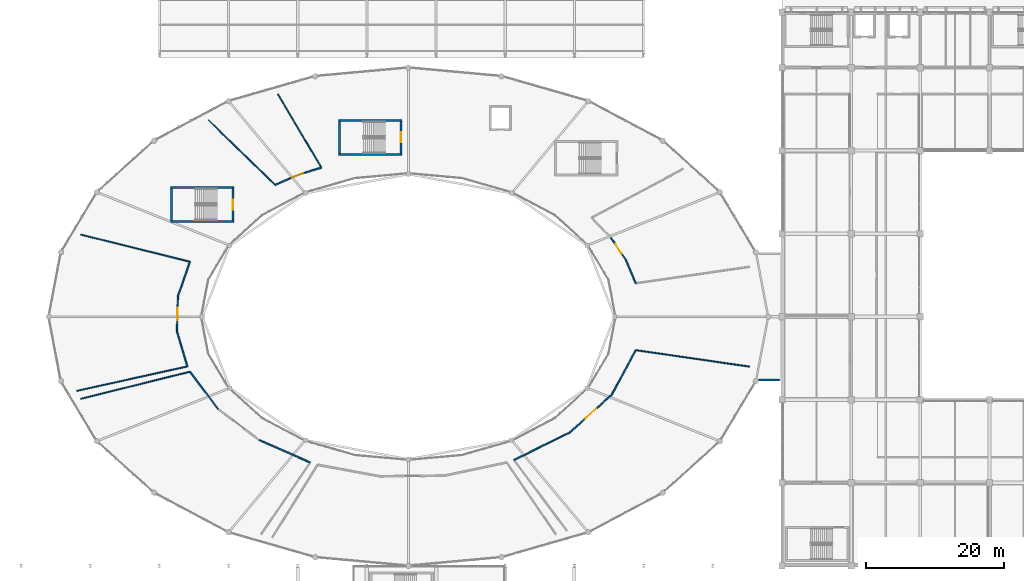
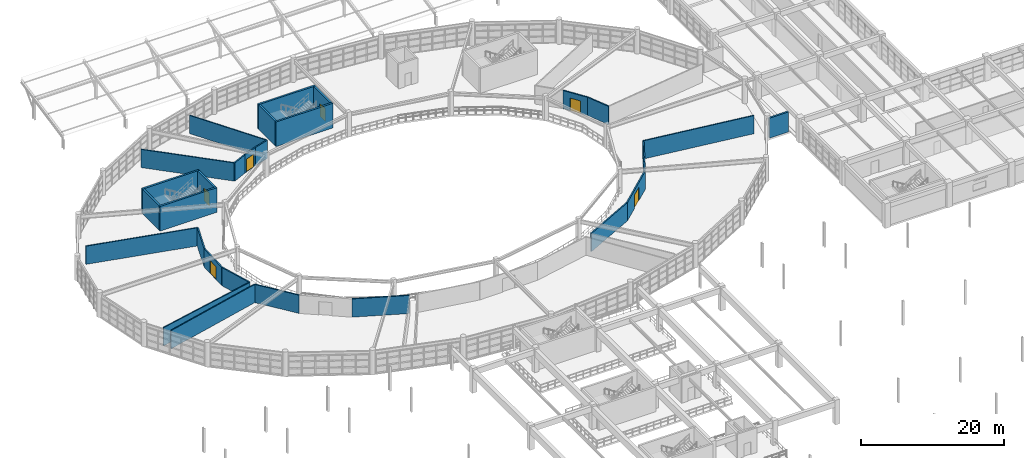
# One storey, part 78 of 100: 28 walls, 6 doors, 6 openings.
"""IFC4 building model written with IfcOpenShell, lengths in metres."""

from ifc_helpers import new_model, si_unit, direction, frame, frame_2d, origin, place, context, subcontext, project, spatial, rectangle, extrude, material, layer, layer_set, type_object, element, fill, save


model = new_model("IFC4")

# Units and contexts
model_context = context("Model", 3, precision=1e-05, world=origin(), true_north=direction((0.0, 1.0)))
body_context = subcontext(model_context, "Body", "Model", "MODEL_VIEW")
ifc_project = project(units=[si_unit("LENGTHUNIT", "METRE"), si_unit("AREAUNIT", "SQUARE_METRE"), si_unit("VOLUMEUNIT", "CUBIC_METRE"), si_unit("PLANEANGLEUNIT", "RADIAN"), si_unit("MASSUNIT", "GRAM", prefix="KILO")], contexts=[model_context])

# Site, building, storey
site_placement = place(None, origin())
site = spatial("IfcSite", under=ifc_project, at=site_placement, CompositionType="ELEMENT")
building_placement = place(site_placement, origin())
building = spatial("IfcBuilding", under=site, at=building_placement, Name="Kivolera Central Railway Station", CompositionType="ELEMENT")
storey_placement = place(building_placement, frame((0.0, 0.0, 5.39990234375)))
storey = spatial("IfcBuildingStorey", under=building, at=storey_placement, Name="L01", CompositionType="ELEMENT", Elevation=5.39990234375)

# Wall
ifc_material_1 = material(Name="Swahili coral limestone", Category="masonry")
ifc_layer_1 = layer(ifc_material_1, 0.199951171875, Name="Swahili coral limestone")
ifc_layer_set_1 = layer_set([ifc_layer_1], Name="Swahili coral limestone")
wall_type_1 = type_object("IfcWallType", Name="WL-COR-200", PredefinedType="PARTITIONING", material=ifc_layer_set_1)
wall_1_placement = place(storey_placement, frame((96.865966796875, 94.833984375, 0.0), z_axis=(0.0, 0.0, 1.0), x_axis=(-0.389948805942, 0.920836537472, 0.0)))
element("IfcWall", 1, at=wall_1_placement, inside=storey, type_object=wall_type_1, Name="L01 Concourse Departure Book and Craft Retail Shop Gallery Wall 1", PredefinedType="PARTITIONING", context=body_context, shape_type="SweptSolid", body=[
    extrude(rectangle(XDim=3.661865234375, YDim=0.199951171875, at=frame_2d((1.8310546875, 0.0))), origin(), (0.0, 0.0, 1.0), 3.10009765625),
])

# Wall, opening, door
wall_2_placement = place(storey_placement, frame((95.43798828125, 98.2060546875, 0.0), z_axis=(0.0, 0.0, 1.0), x_axis=(-0.558919050601, 0.829222222854, 0.0)))
wall_2 = element("IfcWall", 2, at=wall_2_placement, inside=storey, type_object=wall_type_1, Name="L01 Concourse Departure Book and Craft Retail Shop Gallery Wall 2", PredefinedType="PARTITIONING", context=body_context, shape_type="SweptSolid", body=[
    extrude(rectangle(XDim=3.839599609375, YDim=0.199951171875, at=frame_2d((1.919921875, 0.0))), origin(), (0.0, 0.0, 1.0), 3.10009765625),
])
opening_1_placement = place(wall_2_placement, frame((1.1201171875, 0.0, 0.0)))
opening_1 = element("IfcOpeningElement", 3, at=opening_1_placement, cuts=wall_2, Name="Opening D-DB-02", PredefinedType="OPENING", context=body_context, shape_type="SweptSolid", body=[
    extrude(rectangle(XDim=1.60009765625, YDim=2.14990234375, at=frame_2d((0.800048828125, 1.074951171875))), frame((0.0, 0.10986328125, 0.0), z_axis=(0.0, -1.0, 0.0), x_axis=(1.0, 0.0, 0.0)), (0.0, 0.0, 1.0), 0.219970703125),
])
ifc_material_2 = material(Name="Anodised aluminium", Category="aluminium")
door_type_1 = type_object("IfcDoorType", Name="DR-D-DB-02", OperationType="NOTDEFINED", PredefinedType="DOOR", material=ifc_material_2)
door_1_placement = place(opening_1_placement, origin())
door_1 = element("IfcDoor", 4, at=door_1_placement, inside=storey, type_object=door_type_1, Name="L01 Concourse Departure Book and Craft Retail Shop Door", OperationType="DOUBLE_DOOR_SINGLE_SWING", OverallHeight=2.14990234375, OverallWidth=1.60009765625, PredefinedType="DOOR", context=body_context, shape_type="SweptSolid", body=[
    extrude(rectangle(XDim=1.60009765625, YDim=2.14990234375, at=frame_2d((0.800048828125, 1.074951171875))), frame((0.0, 0.02490234375, 0.0), z_axis=(0.0, -1.0, 0.0), x_axis=(1.0, 0.0, 0.0)), (0.0, 0.0, 1.0), 0.050048828125),
])
fill(opening_1, door_1)

# Wall
wall_3_placement = place(storey_placement, frame((51.4130859375, 111.556884765625, 0.0), z_axis=(0.0, 0.0, 1.0), x_axis=(-0.954999315688, -0.296608002313, 0.0)))
element("IfcWall", 5, at=wall_3_placement, inside=storey, type_object=wall_type_1, Name="L01 Assisted Travel and Mobility Waiting Lounge Gallery Wall 1", PredefinedType="PARTITIONING", context=body_context, shape_type="SweptSolid", body=[
    extrude(rectangle(XDim=2.42724609375, YDim=0.199951171875, at=frame_2d((1.213623046875, 0.0))), origin(), (0.0, 0.0, 1.0), 3.10009765625),
])

# Wall, opening, door
wall_4_placement = place(storey_placement, frame((49.094970703125, 110.8369140625, 0.0), z_axis=(0.0, 0.0, 1.0), x_axis=(-0.936068029803, -0.351819049486, 0.0)))
wall_4 = element("IfcWall", 6, at=wall_4_placement, inside=storey, type_object=wall_type_1, Name="L01 Assisted Travel and Mobility Waiting Lounge Gallery Wall 2", PredefinedType="PARTITIONING", context=body_context, shape_type="SweptSolid", body=[
    extrude(rectangle(XDim=2.38427734375, YDim=0.199951171875, at=frame_2d((1.192138671875, 0.0))), origin(), (0.0, 0.0, 1.0), 3.10009765625),
])
opening_2_placement = place(wall_4_placement, frame((0.342041015625, 0.0, 0.0)))
opening_2 = element("IfcOpeningElement", 7, at=opening_2_placement, cuts=wall_4, Name="Opening D-DB-03", PredefinedType="OPENING", context=body_context, shape_type="SweptSolid", body=[
    extrude(rectangle(XDim=1.699951171875, YDim=2.199951171875, at=frame_2d((0.85009765625, 1.10009765625))), frame((0.0, 0.10986328125, 0.0), z_axis=(0.0, -1.0, 0.0), x_axis=(1.0, 0.0, 0.0)), (0.0, 0.0, 1.0), 0.219970703125),
])
door_type_2 = type_object("IfcDoorType", Name="DR-D-DB-03", OperationType="NOTDEFINED", PredefinedType="DOOR", material=ifc_material_2)
door_2_placement = place(opening_2_placement, origin())
door_2 = element("IfcDoor", 8, at=door_2_placement, inside=storey, type_object=door_type_2, Name="L01 Assisted Travel and Mobility Waiting Lounge Door", OperationType="DOUBLE_DOOR_SINGLE_SWING", OverallHeight=2.199951171875, OverallWidth=1.699951171875, PredefinedType="DOOR", context=body_context, shape_type="SweptSolid", body=[
    extrude(rectangle(XDim=1.699951171875, YDim=2.199951171875, at=frame_2d((0.85009765625, 1.10009765625))), frame((0.0, 0.02490234375, 0.0), z_axis=(0.0, -1.0, 0.0), x_axis=(1.0, 0.0, 0.0)), (0.0, 0.0, 1.0), 0.050048828125),
])
fill(opening_2, door_2)

# Walls
wall_5_placement = place(storey_placement, frame((46.863037109375, 109.998046875, 0.0), z_axis=(0.0, 0.0, 1.0), x_axis=(-0.913138576523, -0.40764928562, 0.0)))
element("IfcWall", 9, at=wall_5_placement, inside=storey, type_object=wall_type_1, Name="L01 Assisted Travel and Mobility Waiting Lounge Gallery Wall 3", PredefinedType="PARTITIONING", context=body_context, shape_type="SweptSolid", body=[
    extrude(rectangle(XDim=2.338134765625, YDim=0.199951171875, at=frame_2d((1.1689453125, 0.0))), origin(), (0.0, 0.0, 1.0), 3.10009765625),
])
wall_6_placement = place(storey_placement, frame((32.426025390625, 97.951904296875, 0.0), z_axis=(0.0, 0.0, 1.0), x_axis=(-0.331465981736, -0.943467171104, 0.0)))
element("IfcWall", 10, at=wall_6_placement, inside=storey, type_object=wall_type_1, Name="L01 West Concourse Travel Health Retail Shop Gallery Wall 1", PredefinedType="PARTITIONING", context=body_context, shape_type="SweptSolid", body=[
    extrude(rectangle(XDim=5.282470703125, YDim=0.199951171875, at=frame_2d((2.64111328125, 0.0))), origin(), (0.0, 0.0, 1.0), 3.10009765625),
])

# Wall, opening, door
wall_7_placement = place(storey_placement, frame((30.675048828125, 92.968017578125, 0.0), z_axis=(0.0, 0.0, 1.0), x_axis=(-0.025363125292, -0.999678304194, 0.0)))
wall_7 = element("IfcWall", 11, at=wall_7_placement, inside=storey, type_object=wall_type_1, Name="L01 West Concourse Travel Health Retail Shop Gallery Wall 2", PredefinedType="PARTITIONING", context=body_context, shape_type="SweptSolid", body=[
    extrude(rectangle(XDim=5.130615234375, YDim=0.199951171875, at=frame_2d((2.5654296875, 0.0))), origin(), (0.0, 0.0, 1.0), 3.10009765625),
])
opening_3_placement = place(wall_7_placement, frame((1.6650390625, 0.0, 0.0)))
opening_3 = element("IfcOpeningElement", 12, at=opening_3_placement, cuts=wall_7, Name="Opening D-DB-04", PredefinedType="OPENING", context=body_context, shape_type="SweptSolid", body=[
    extrude(rectangle(XDim=1.800048828125, YDim=2.199951171875, at=frame_2d((0.89990234375, 1.10009765625))), frame((0.0, 0.10986328125, 0.0), z_axis=(0.0, -1.0, 0.0), x_axis=(1.0, 0.0, 0.0)), (0.0, 0.0, 1.0), 0.219970703125),
])
door_type_3 = type_object("IfcDoorType", Name="DR-D-DB-04", OperationType="NOTDEFINED", PredefinedType="DOOR", material=ifc_material_2)
door_3_placement = place(opening_3_placement, origin())
door_3 = element("IfcDoor", 13, at=door_3_placement, inside=storey, type_object=door_type_3, Name="L01 West Concourse Travel Health Retail Shop Door", OperationType="DOUBLE_DOOR_SINGLE_SWING", OverallHeight=2.199951171875, OverallWidth=1.800048828125, PredefinedType="DOOR", context=body_context, shape_type="SweptSolid", body=[
    extrude(rectangle(XDim=1.800048828125, YDim=2.199951171875, at=frame_2d((0.89990234375, 1.10009765625))), frame((0.0, 0.02490234375, 0.0), z_axis=(0.0, -1.0, 0.0), x_axis=(1.0, 0.0, 0.0)), (0.0, 0.0, 1.0), 0.050048828125),
])
fill(opening_3, door_3)

# Walls
wall_8_placement = place(storey_placement, frame((30.544921875, 87.839111328125, 0.0), z_axis=(0.0, 0.0, 1.0), x_axis=(0.286078916962, -0.958206059921, 0.0)))
element("IfcWall", 14, at=wall_8_placement, inside=storey, type_object=wall_type_1, Name="L01 West Concourse Travel Health Retail Shop Gallery Wall 3", PredefinedType="PARTITIONING", context=body_context, shape_type="SweptSolid", body=[
    extrude(rectangle(XDim=5.243408203125, YDim=0.199951171875, at=frame_2d((2.62158203125, 0.0))), origin(), (0.0, 0.0, 1.0), 3.10009765625),
])
wall_9_placement = place(storey_placement, frame((32.426025390625, 82.048095703125, 0.0), z_axis=(0.0, 0.0, 1.0), x_axis=(0.601141590092, -0.799142533383, 0.0)))
element("IfcWall", 15, at=wall_9_placement, inside=storey, type_object=wall_type_1, Name="L01 West Lantern Espresso and Pastry Cafe Gallery Wall 1", PredefinedType="PARTITIONING", context=body_context, shape_type="SweptSolid", body=[
    extrude(rectangle(XDim=6.7373046875, YDim=0.199951171875, at=frame_2d((3.36865234375, 0.0))), origin(), (0.0, 0.0, 1.0), 3.10009765625),
])
wall_10_placement = place(storey_placement, frame((42.402099609375, 72.18896484375, 0.0), z_axis=(0.0, 0.0, 1.0), x_axis=(0.915046329832, -0.403348750167, 0.0)))
element("IfcWall", 16, at=wall_10_placement, inside=storey, type_object=wall_type_1, Name="L01 West Lantern Espresso and Pastry Cafe Gallery Wall 3", PredefinedType="PARTITIONING", context=body_context, shape_type="SweptSolid", body=[
    extrude(rectangle(XDim=8.084716796875, YDim=0.199951171875, at=frame_2d((4.04248046875, 0.0))), origin(), (0.0, 0.0, 1.0), 3.10009765625),
])
wall_11_placement = place(storey_placement, frame((79.25390625, 69.283935546875, 0.0), z_axis=(0.0, 0.0, 1.0), x_axis=(0.89674859094, 0.442540353693, 0.0)))
element("IfcWall", 17, at=wall_11_placement, inside=storey, type_object=wall_type_1, Name="L01 Regional Rail Customer Service Office Gallery Wall 1", PredefinedType="PARTITIONING", context=body_context, shape_type="SweptSolid", body=[
    extrude(rectangle(XDim=9.018310546875, YDim=0.199951171875, at=frame_2d((4.50927734375, 0.0))), origin(), (0.0, 0.0, 1.0), 3.10009765625),
])

# Wall, opening, door
wall_12_placement = place(storey_placement, frame((87.341064453125, 73.27490234375, 0.0), z_axis=(0.0, 0.0, 1.0), x_axis=(0.742572062939, 0.669766176619, 0.0)))
wall_12 = element("IfcWall", 18, at=wall_12_placement, inside=storey, type_object=wall_type_1, Name="L01 Regional Rail Customer Service Office Gallery Wall 2", PredefinedType="PARTITIONING", context=body_context, shape_type="SweptSolid", body=[
    extrude(rectangle(XDim=8.141845703125, YDim=0.199951171875, at=frame_2d((4.07080078125, 0.0))), origin(), (0.0, 0.0, 1.0), 3.10009765625),
])
opening_4_placement = place(wall_12_placement, frame((3.02099609375, 0.0, 0.0)))
opening_4 = element("IfcOpeningElement", 19, at=opening_4_placement, cuts=wall_12, Name="Opening D-DB-07", PredefinedType="OPENING", context=body_context, shape_type="SweptSolid", body=[
    extrude(rectangle(XDim=2.10009765625, YDim=2.300048828125, at=frame_2d((1.050048828125, 1.14990234375))), frame((0.0, 0.10986328125, 0.0), z_axis=(0.0, -1.0, 0.0), x_axis=(1.0, 0.0, 0.0)), (0.0, 0.0, 1.0), 0.219970703125),
])
door_type_4 = type_object("IfcDoorType", Name="DR-D-DB-07", OperationType="NOTDEFINED", PredefinedType="DOOR", material=ifc_material_2)
door_4_placement = place(opening_4_placement, origin())
door_4 = element("IfcDoor", 20, at=door_4_placement, inside=storey, type_object=door_type_4, Name="L01 Regional Rail Customer Service Office Door", OperationType="DOUBLE_DOOR_SINGLE_SWING", OverallHeight=2.300048828125, OverallWidth=2.10009765625, PredefinedType="DOOR", context=body_context, shape_type="SweptSolid", body=[
    extrude(rectangle(XDim=2.10009765625, YDim=2.300048828125, at=frame_2d((1.050048828125, 1.14990234375))), frame((0.0, 0.02490234375, 0.0), z_axis=(0.0, -1.0, 0.0), x_axis=(1.0, 0.0, 0.0)), (0.0, 0.0, 1.0), 0.050048828125),
])
fill(opening_4, door_4)

# Walls
wall_13_placement = place(storey_placement, frame((93.386962890625, 78.72802734375, 0.0), z_axis=(0.0, 0.0, 1.0), x_axis=(0.475412361353, 0.879763085536, 0.0)))
element("IfcWall", 21, at=wall_13_placement, inside=storey, type_object=wall_type_1, Name="L01 Regional Rail Customer Service Office Gallery Wall 3", PredefinedType="PARTITIONING", context=body_context, shape_type="SweptSolid", body=[
    extrude(rectangle(XDim=7.31787109375, YDim=0.199951171875, at=frame_2d((3.658935546875, 0.0))), origin(), (0.0, 0.0, 1.0), 3.10009765625),
])
ifc_material_3 = material(Name="Concrete C40/50", Category="concrete")
ifc_layer_2 = layer(ifc_material_3, 0.300048828125, Name="Concrete C40/50")
ifc_layer_set_2 = layer_set([ifc_layer_2], Name="Concrete C40/50")
wall_type_2 = type_object("IfcWallType", Name="WL-CORE-300", PredefinedType="SHEAR", material=ifc_layer_set_2)
for number, where, z_axis, x_axis, name in (
    (22, (63.10009765625, 113.469970703125, 0.0), (0.0, 0.0, 1.0), (-1.0, 0.0, 0.0), "L01 ST5 Core Right Shear Wall"),
    (23, (53.89990234375, 118.35009765625, 0.0), (0.0, 0.0, 1.0), (1.0, 0.0, 0.0), "L01 ST5 Core Left Shear Wall"),
):
    element("IfcWall", number, at=place(storey_placement, frame(where, z_axis=z_axis, x_axis=x_axis)), inside=storey, type_object=wall_type_2, Name=name, PredefinedType="SHEAR", context=body_context, shape_type="SweptSolid", body=[
        extrude(rectangle(XDim=9.2001953125, YDim=0.300048828125, at=frame_2d((4.60009765625, 0.0))), origin(), (0.0, 0.0, 1.0), 4.2001953125),
    ])

# Wall, opening, door
wall_14_placement = place(storey_placement, frame((62.949951171875, 118.199951171875, 0.0), z_axis=(0.0, 0.0, 1.0), x_axis=(0.0, -1.0, 0.0)))
wall_14 = element("IfcWall", 24, at=wall_14_placement, inside=storey, type_object=wall_type_2, Name="L01 ST5 Core Near Shear Wall", PredefinedType="SHEAR", context=body_context, shape_type="SweptSolid", body=[
    extrude(rectangle(XDim=4.579833984375, YDim=0.300048828125, at=frame_2d((2.2900390625, 0.0))), origin(), (0.0, 0.0, 1.0), 4.2001953125),
])
opening_5_placement = place(wall_14_placement, frame((1.56494140625, 0.0, 0.0)))
opening_5 = element("IfcOpeningElement", 25, at=opening_5_placement, cuts=wall_14, Name="Opening D-STAIR-1450", PredefinedType="OPENING", context=body_context, shape_type="SweptSolid", body=[
    extrude(rectangle(XDim=1.449951171875, YDim=2.199951171875, at=frame_2d((0.72509765625, 1.10009765625))), frame((0.0, 0.159912109375, 0.0), z_axis=(0.0, -1.0, 0.0), x_axis=(1.0, 0.0, 0.0)), (0.0, 0.0, 1.0), 0.320068359375),
])
ifc_material_4 = material(Name="Hardwood mvule timber", Category="wood")
door_type_5 = type_object("IfcDoorType", Name="DR-D-STAIR-1450", OperationType="NOTDEFINED", PredefinedType="DOOR", material=ifc_material_4)
door_5_placement = place(opening_5_placement, origin())
door_5 = element("IfcDoor", 26, at=door_5_placement, inside=storey, type_object=door_type_5, Name="L01 ST5 Concourse/Platform Stair Fire Door", OperationType="SINGLE_SWING_RIGHT", OverallHeight=2.199951171875, OverallWidth=1.449951171875, PredefinedType="DOOR", context=body_context, shape_type="SweptSolid", body=[
    extrude(rectangle(XDim=1.449951171875, YDim=2.199951171875, at=frame_2d((0.72509765625, 1.10009765625))), frame((0.0, 0.02490234375, 0.0), z_axis=(0.0, -1.0, 0.0), x_axis=(1.0, 0.0, 0.0)), (0.0, 0.0, 1.0), 0.050048828125),
])
fill(opening_5, door_5)

# Walls
wall_15_placement = place(storey_placement, frame((54.050048828125, 113.6201171875, 0.0), z_axis=(0.0, 0.0, 1.0), x_axis=(0.0, 1.0, 0.0)))
element("IfcWall", 27, at=wall_15_placement, inside=storey, type_object=wall_type_2, Name="L01 ST5 Core Far Shear Wall", PredefinedType="SHEAR", context=body_context, shape_type="SweptSolid", body=[
    extrude(rectangle(XDim=4.579833984375, YDim=0.300048828125, at=frame_2d((2.2900390625, 0.0))), origin(), (0.0, 0.0, 1.0), 4.2001953125),
])
for number, where, z_axis, x_axis, name in (
    (28, (38.800048828125, 103.77001953125, 0.0), (0.0, 0.0, 1.0), (-1.0, 0.0, 0.0), "L01 ST6 Core Right Shear Wall"),
    (29, (29.60009765625, 108.64990234375, 0.0), (0.0, 0.0, 1.0), (1.0, 0.0, 0.0), "L01 ST6 Core Left Shear Wall"),
):
    element("IfcWall", number, at=place(storey_placement, frame(where, z_axis=z_axis, x_axis=x_axis)), inside=storey, type_object=wall_type_2, Name=name, PredefinedType="SHEAR", context=body_context, shape_type="SweptSolid", body=[
        extrude(rectangle(XDim=9.199951171875, YDim=0.300048828125, at=frame_2d((4.60009765625, 0.0))), origin(), (0.0, 0.0, 1.0), 4.2001953125),
    ])

# Wall, opening, door
wall_16_placement = place(storey_placement, frame((38.64990234375, 108.5, 0.0), z_axis=(0.0, 0.0, 1.0), x_axis=(0.0, -1.0, 0.0)))
wall_16 = element("IfcWall", 30, at=wall_16_placement, inside=storey, type_object=wall_type_2, Name="L01 ST6 Core Near Shear Wall", PredefinedType="SHEAR", context=body_context, shape_type="SweptSolid", body=[
    extrude(rectangle(XDim=4.580078125, YDim=0.300048828125, at=frame_2d((2.2900390625, 0.0))), origin(), (0.0, 0.0, 1.0), 4.2001953125),
])
opening_6_placement = place(wall_16_placement, frame((1.56494140625, 0.0, 0.0)))
opening_6 = element("IfcOpeningElement", 31, at=opening_6_placement, cuts=wall_16, Name="Opening D-STAIR-1450", PredefinedType="OPENING", context=body_context, shape_type="SweptSolid", body=[
    extrude(rectangle(XDim=1.449951171875, YDim=2.199951171875, at=frame_2d((0.72509765625, 1.10009765625))), frame((0.0, 0.159912109375, 0.0), z_axis=(0.0, -1.0, 0.0), x_axis=(1.0, 0.0, 0.0)), (0.0, 0.0, 1.0), 0.320068359375),
])
door_6_placement = place(opening_6_placement, origin())
door_6 = element("IfcDoor", 32, at=door_6_placement, inside=storey, type_object=door_type_5, Name="L01 ST6 Concourse/Platform Stair Fire Door", OperationType="SINGLE_SWING_LEFT", OverallHeight=2.199951171875, OverallWidth=1.449951171875, PredefinedType="DOOR", context=body_context, shape_type="SweptSolid", body=[
    extrude(rectangle(XDim=1.449951171875, YDim=2.199951171875, at=frame_2d((0.72509765625, 1.10009765625))), frame((0.0, 0.02490234375, 0.0), z_axis=(0.0, -1.0, 0.0), x_axis=(1.0, 0.0, 0.0)), (0.0, 0.0, 1.0), 0.050048828125),
])
fill(opening_6, door_6)

# Walls
wall_17_placement = place(storey_placement, frame((29.75, 103.919921875, 0.0), z_axis=(0.0, 0.0, 1.0), x_axis=(0.0, 1.0, 0.0)))
element("IfcWall", 33, at=wall_17_placement, inside=storey, type_object=wall_type_2, Name="L01 ST6 Core Far Shear Wall", PredefinedType="SHEAR", context=body_context, shape_type="SweptSolid", body=[
    extrude(rectangle(XDim=4.580078125, YDim=0.300048828125, at=frame_2d((2.2900390625, 0.0))), origin(), (0.0, 0.0, 1.0), 4.2001953125),
])
ifc_layer_3 = layer(ifc_material_1, 0.2900390625, Name="Swahili coral limestone")
ifc_layer_set_3 = layer_set([ifc_layer_3], Name="Swahili coral limestone")
wall_type_3 = type_object("IfcWallType", Name="WL-EXT-CORAL-290", PredefinedType="SOLIDWALL", material=ifc_layer_set_3)
wall_18_placement = place(storey_placement, frame((117.64990234375, 80.827880859375, 0.0), z_axis=(0.0, 0.0, 1.0), x_axis=(-1.0, 0.0, 0.0)))
element("IfcWall", 34, at=wall_18_placement, inside=storey, type_object=wall_type_3, Name="L01 Concourse Link South Closure Wall", PredefinedType="SOLIDWALL", context=body_context, shape_type="SweptSolid", body=[
    extrude(rectangle(XDim=3.0419921875, YDim=0.2900390625, at=frame_2d((1.52099609375, 0.0))), origin(), (0.0, 0.0, 1.0), 3.400146484375),
])
ifc_material_5 = material(Name="Gypsum plasterboard steel-stud partition")
ifc_layer_4 = layer(ifc_material_5, 0.1650390625, Name="Gypsum plasterboard steel-stud partition")
ifc_layer_set_4 = layer_set([ifc_layer_4], Name="Gypsum plasterboard steel-stud partition")
wall_type_4 = type_object("IfcWallType", Name="WL-PRT-165", PredefinedType="PARTITIONING", material=ifc_layer_set_4)
wall_19_placement = place(storey_placement, frame((51.4130859375, 111.556884765625, 0.0), z_axis=(0.0, 0.0, 1.0), x_axis=(-0.509915176618, 0.860224687308, 0.0)))
element("IfcWall", 35, at=wall_19_placement, inside=storey, type_object=wall_type_4, Name="L01 Assisted Travel and Mobility Waiting Lounge Radial Partition R0", PredefinedType="PARTITIONING", context=body_context, shape_type="SweptSolid", body=[
    extrude(rectangle(XDim=12.34130859375, YDim=0.1650390625, at=frame_2d((6.170654296875, 0.0))), origin(), (0.0, 0.0, 1.0), 3.10009765625),
])
wall_20_placement = place(storey_placement, frame((44.72802734375, 109.044921875, 0.0), z_axis=(0.0, 0.0, 1.0), x_axis=(-0.716555955186, 0.697529614488, 0.0)))
element("IfcWall", 36, at=wall_20_placement, inside=storey, type_object=wall_type_4, Name="L01 Assisted Travel and Mobility Waiting Lounge Radial Partition R1", PredefinedType="PARTITIONING", context=body_context, shape_type="SweptSolid", body=[
    extrude(rectangle(XDim=13.44775390625, YDim=0.1650390625, at=frame_2d((6.723876953125, 0.0))), origin(), (0.0, 0.0, 1.0), 3.10009765625),
])
wall_21_placement = place(storey_placement, frame((32.426025390625, 97.951904296875, 0.0), z_axis=(0.0, 0.0, 1.0), x_axis=(-0.970585860066, 0.240755245507, 0.0)))
element("IfcWall", 37, at=wall_21_placement, inside=storey, type_object=wall_type_4, Name="L01 West Concourse Travel Health Retail Shop Radial Partition R0", PredefinedType="PARTITIONING", context=body_context, shape_type="SweptSolid", body=[
    extrude(rectangle(XDim=16.265625, YDim=0.1650390625, at=frame_2d((8.1328125, 0.0))), origin(), (0.0, 0.0, 1.0), 3.10009765625),
])
wall_22_placement = place(storey_placement, frame((32.044921875, 82.81494140625, 0.0), z_axis=(0.0, 0.0, 1.0), x_axis=(-0.976352807819, -0.216183243256, 0.0)))
element("IfcWall", 38, at=wall_22_placement, inside=storey, type_object=wall_type_4, Name="L01 West Concourse Travel Health Retail Shop Radial Partition R1", PredefinedType="PARTITIONING", context=body_context, shape_type="SweptSolid", body=[
    extrude(rectangle(XDim=16.364990234375, YDim=0.1650390625, at=frame_2d((8.1826171875, 0.0))), origin(), (0.0, 0.0, 1.0), 3.10009765625),
])
wall_23_placement = place(storey_placement, frame((32.426025390625, 82.048095703125, 0.0), z_axis=(0.0, 0.0, 1.0), x_axis=(-0.970585860066, -0.240755245507, 0.0)))
element("IfcWall", 39, at=wall_23_placement, inside=storey, type_object=wall_type_4, Name="L01 West Lantern Espresso and Pastry Cafe Radial Partition R0", PredefinedType="PARTITIONING", context=body_context, shape_type="SweptSolid", body=[
    extrude(rectangle(XDim=16.265625, YDim=0.1650390625, at=frame_2d((8.1328125, 0.0))), origin(), (0.0, 0.0, 1.0), 3.10009765625),
])
wall_24_placement = place(storey_placement, frame((96.865966796875, 85.166015625, 0.0), z_axis=(0.0, 0.0, 1.0), x_axis=(0.989664923878, -0.143399227493, 0.0)))
element("IfcWall", 40, at=wall_24_placement, inside=storey, type_object=wall_type_4, Name="L01 Regional Rail Customer Service Office Radial Partition R1", PredefinedType="PARTITIONING", context=body_context, shape_type="SweptSolid", body=[
    extrude(rectangle(XDim=16.604736328125, YDim=0.1650390625, at=frame_2d((8.30224609375, 0.0))), origin(), (0.0, 0.0, 1.0), 3.10009765625),
])

save(model, "model.ifc")
